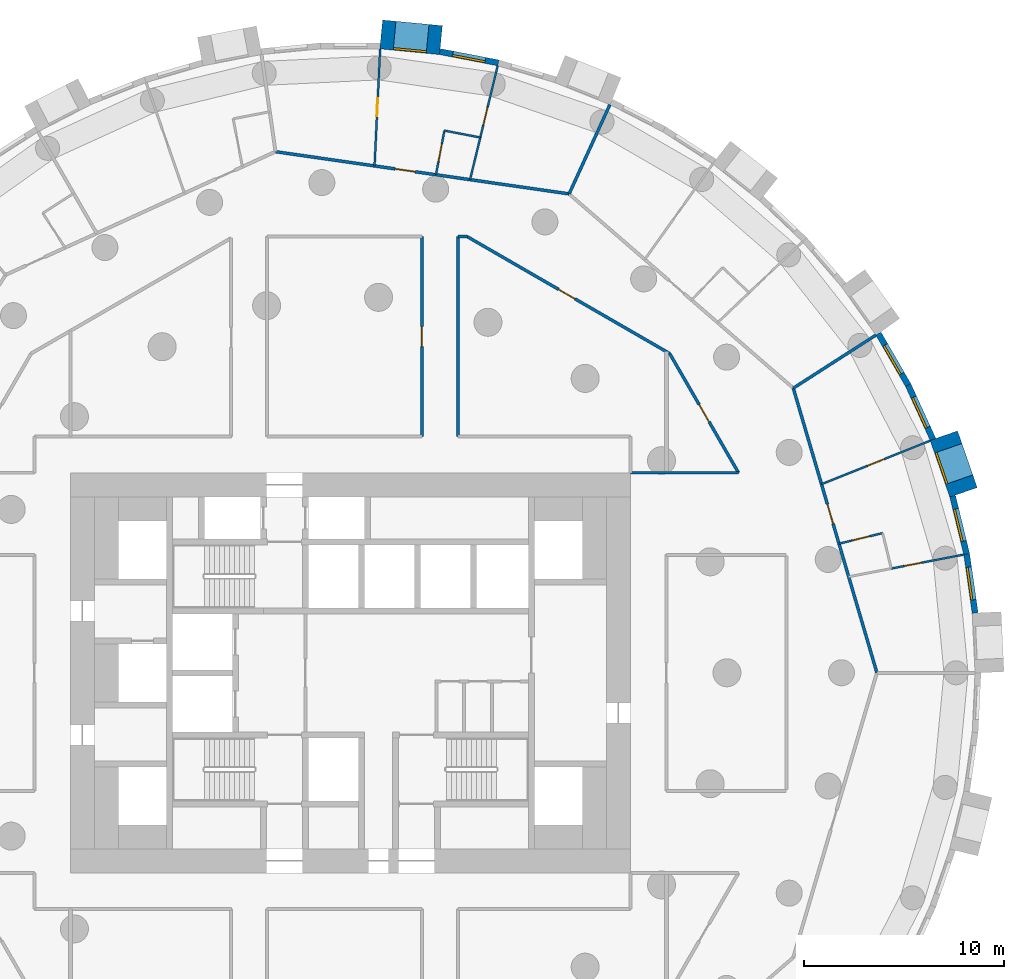
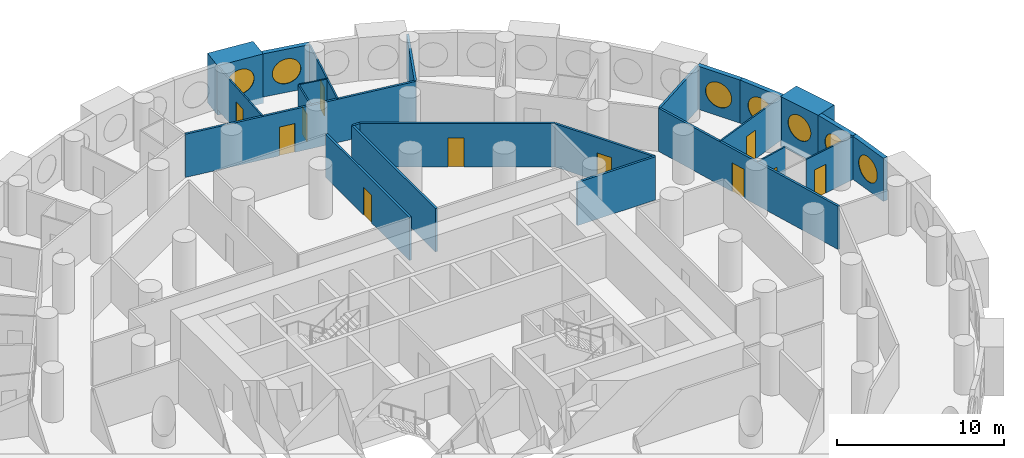
# One storey, part 9 of 12: 25 walls, 11 doors, 7 windows, 18 openings.
"""IFC4 building model written with IfcOpenShell, lengths in metres."""

from ifc_helpers import new_model, si_unit, direction, frame, frame_2d, origin, origin_2d, place, context, subcontext, project, spatial, rectangle, circle, extrude, material, layer, layer_set, type_object, element, fill, save


model = new_model("IFC4")

# Units and contexts
model_context = context("Model", 3, precision=1e-05, world=origin(), true_north=direction((0.0, 1.0)))
body_context = subcontext(model_context, "Body", "Model", "MODEL_VIEW")
ifc_project = project(units=[si_unit("LENGTHUNIT", "METRE"), si_unit("AREAUNIT", "SQUARE_METRE"), si_unit("VOLUMEUNIT", "CUBIC_METRE"), si_unit("PLANEANGLEUNIT", "RADIAN"), si_unit("MASSUNIT", "GRAM", prefix="KILO")], contexts=[model_context])

# Site, building, storey
site_placement = place(None, origin())
site = spatial("IfcSite", under=ifc_project, at=site_placement, CompositionType="ELEMENT")
building_placement = place(site_placement, origin())
building = spatial("IfcBuilding", under=site, at=building_placement, Name="Tracery Tower", CompositionType="ELEMENT")
storey_placement = place(building_placement, frame((0.0, 0.0, 89.39990234375)))
storey = spatial("IfcBuildingStorey", under=building, at=storey_placement, Name="L22", CompositionType="ELEMENT", Elevation=89.39990234375)

# Wall, opening, window
ifc_material_1 = material(Name="Precast concrete C50/60", Category="concrete")
ifc_layer_1 = layer(ifc_material_1, 1.449951171875)
ifc_layer_set_1 = layer_set([ifc_layer_1], Name="Deep-set bay unit 3000 x 3600, slab edge 450")
wall_type_1 = type_object("IfcWallType", Name="Deep-set bay unit 3000 x 3600, slab edge 450", PredefinedType="ELEMENTEDWALL", material=ifc_layer_set_1)
wall_1_placement = place(storey_placement, frame((30.649169921875, 9.0205078125, -0.449951171875), z_axis=(0.0, 0.0, 1.0), x_axis=(-0.327071431777, 0.944999618262, 0.0)))
wall_1 = element("IfcWall", 1, at=wall_1_placement, inside=storey, type_object=wall_type_1, Name="Deep-set bay unit 4 at L22", PredefinedType="ELEMENTEDWALL", context=body_context, shape_type="SweptSolid", body=[
    extrude(rectangle(XDim=3.0, YDim=1.449951171875, at=frame_2d((1.5, 0.0))), origin(), (0.0, 0.0, 1.0), 3.60009765625),
])
opening_1_placement = place(wall_1_placement, frame((1.5, 0.0, 2.0)))
opening_1 = element("IfcOpeningElement", 2, at=opening_1_placement, cuts=wall_1, Name="Opening WN1", PredefinedType="OPENING", context=body_context, shape_type="SweptSolid", body=[
    extrude(circle(Radius=0.9000244140625, at=origin_2d()), frame((0.0, 0.73486328125, 0.0), z_axis=(0.0, -1.0, 0.0), x_axis=(1.0, 0.0, 0.0)), (0.0, 0.0, 1.0), 1.469970703125),
])
ifc_material_2 = material(Name="Aluminium frame with tinted double glazing", Category="aluminium")
window_type = type_object("IfcWindowType", Name="Round window 1800", PartitioningType="SINGLE_PANEL", PredefinedType="WINDOW", material=ifc_material_2)
window_1_placement = place(opening_1_placement, origin())
window_1 = element("IfcWindow", 3, at=window_1_placement, inside=storey, type_object=window_type, Name="Round window 4 at L22", OverallHeight=1.800048828125, OverallWidth=1.800048828125, PartitioningType="SINGLE_PANEL", PredefinedType="WINDOW", context=body_context, shape_type="SweptSolid", body=[
    extrude(circle(Radius=0.9000244140625, at=origin_2d()), frame((0.0, 0.69482421875, 0.0), z_axis=(0.0, -1.0, 0.0), x_axis=(1.0, 0.0, 0.0)), (0.0, 0.0, 1.0), 0.10009765625),
])
fill(opening_1, window_1)

wall_2_placement = place(storey_placement, frame((4.52685546875, 31.626708984375, -0.449951171875), z_axis=(0.0, 0.0, 1.0), x_axis=(-0.995472768558, 0.09504718333, 0.0)))
wall_2 = element("IfcWall", 4, at=wall_2_placement, inside=storey, type_object=wall_type_1, Name="Deep-set bay unit 16 at L22", PredefinedType="ELEMENTEDWALL", context=body_context, shape_type="SweptSolid", body=[
    extrude(rectangle(XDim=3.000244140625, YDim=1.449951171875, at=frame_2d((1.5, 0.0))), origin(), (0.0, 0.0, 1.0), 3.60009765625),
])
opening_2_placement = place(wall_2_placement, frame((1.5, 0.0, 2.0)))
opening_2 = element("IfcOpeningElement", 5, at=opening_2_placement, cuts=wall_2, Name="Opening WN1", PredefinedType="OPENING", context=body_context, shape_type="SweptSolid", body=[
    extrude(circle(Radius=0.9000244140625, at=origin_2d()), frame((0.0, 0.73486328125, 0.0), z_axis=(0.0, -1.0, 0.0), x_axis=(1.0, 0.0, 0.0)), (0.0, 0.0, 1.0), 1.469970703125),
])
window_2_placement = place(opening_2_placement, origin())
window_2 = element("IfcWindow", 6, at=window_2_placement, inside=storey, type_object=window_type, Name="Round window 16 at L22", OverallHeight=1.800048828125, OverallWidth=1.800048828125, PartitioningType="SINGLE_PANEL", PredefinedType="WINDOW", context=body_context, shape_type="SweptSolid", body=[
    extrude(circle(Radius=0.9000244140625, at=origin_2d()), frame((0.0, 0.69482421875, 0.0), z_axis=(0.0, -1.0, 0.0), x_axis=(1.0, 0.0, 0.0)), (0.0, 0.0, 1.0), 0.10009765625),
])
fill(opening_2, window_2)

ifc_material_3 = material(Name="Precast concrete C50/60", Category="concrete")
ifc_layer_2 = layer(ifc_material_3, 0.300048828125)
ifc_layer_set_2 = layer_set([ifc_layer_2], Name="Facade panel 3000 x 3150")
wall_type_2 = type_object("IfcWallType", Name="Facade panel 3000 x 3150", PredefinedType="SOLIDWALL", material=ifc_layer_set_2)
wall_3_placement = place(storey_placement, frame((31.2314453125, 2.98828125, 0.0), z_axis=(0.0, 0.0, 1.0), x_axis=(-0.142315996627, 0.989821275334, 0.0)))
wall_3 = element("IfcWall", 7, at=wall_3_placement, inside=storey, type_object=wall_type_2, Name="Facade panel 2 at L22", PredefinedType="SOLIDWALL", context=body_context, shape_type="SweptSolid", body=[
    extrude(rectangle(XDim=2.979736328125, YDim=0.300048828125, at=frame_2d((1.48974609375, 0.0))), origin(), (0.0, 0.0, 1.0), 3.150146484375),
])
opening_3_placement = place(wall_3_placement, frame((1.48974609375, 0.0, 1.5498046875)))
opening_3 = element("IfcOpeningElement", 8, at=opening_3_placement, cuts=wall_3, Name="Opening WN1", PredefinedType="OPENING", context=body_context, shape_type="SweptSolid", body=[
    extrude(circle(Radius=0.9000244140625, at=origin_2d()), frame((0.0, 0.159912109375, 0.0), z_axis=(0.0, -1.0, 0.0), x_axis=(1.0, 0.0, 0.0)), (0.0, 0.0, 1.0), 0.320068359375),
])
window_3_placement = place(opening_3_placement, origin())
window_3 = element("IfcWindow", 9, at=window_3_placement, inside=storey, type_object=window_type, Name="Round window 2 at L22", OverallHeight=1.800048828125, OverallWidth=1.800048828125, PartitioningType="SINGLE_PANEL", PredefinedType="WINDOW", context=body_context, shape_type="SweptSolid", body=[
    extrude(circle(Radius=0.9000244140625, at=origin_2d()), frame((0.0, 0.1201171875, 0.0), z_axis=(0.0, -1.0, 0.0), x_axis=(1.0, 0.0, 0.0)), (0.0, 0.0, 1.0), 0.10009765625),
])
fill(opening_3, window_3)

wall_4_placement = place(storey_placement, frame((30.807373046875, 5.937744140625, 0.0), z_axis=(0.0, 0.0, 1.0), x_axis=(-0.235743081534, 0.971815414319, 0.0)))
wall_4 = element("IfcWall", 10, at=wall_4_placement, inside=storey, type_object=wall_type_2, Name="Facade panel 3 at L22", PredefinedType="SOLIDWALL", context=body_context, shape_type="SweptSolid", body=[
    extrude(rectangle(XDim=2.9794921875, YDim=0.300048828125, at=frame_2d((1.48974609375, 0.0))), origin(), (0.0, 0.0, 1.0), 3.150146484375),
])
opening_4_placement = place(wall_4_placement, frame((1.48974609375, 0.0, 1.5498046875)))
opening_4 = element("IfcOpeningElement", 11, at=opening_4_placement, cuts=wall_4, Name="Opening WN1", PredefinedType="OPENING", context=body_context, shape_type="SweptSolid", body=[
    extrude(circle(Radius=0.9000244140625, at=origin_2d()), frame((0.0, 0.159912109375, 0.0), z_axis=(0.0, -1.0, 0.0), x_axis=(1.0, 0.0, 0.0)), (0.0, 0.0, 1.0), 0.320068359375),
])
window_4_placement = place(opening_4_placement, origin())
window_4 = element("IfcWindow", 12, at=window_4_placement, inside=storey, type_object=window_type, Name="Round window 3 at L22", OverallHeight=1.800048828125, OverallWidth=1.800048828125, PartitioningType="SINGLE_PANEL", PredefinedType="WINDOW", context=body_context, shape_type="SweptSolid", body=[
    extrude(circle(Radius=0.9000244140625, at=origin_2d()), frame((0.0, 0.1201171875, 0.0), z_axis=(0.0, -1.0, 0.0), x_axis=(1.0, 0.0, 0.0)), (0.0, 0.0, 1.0), 0.10009765625),
])
fill(opening_4, window_4)

wall_5_placement = place(storey_placement, frame((29.12451171875, 11.666259765625, 0.0), z_axis=(0.0, 0.0, 1.0), x_axis=(-0.415407317162, 0.909635509888, 0.0)))
wall_5 = element("IfcWall", 13, at=wall_5_placement, inside=storey, type_object=wall_type_2, Name="Facade panel 5 at L22", PredefinedType="SOLIDWALL", context=body_context, shape_type="SweptSolid", body=[
    extrude(rectangle(XDim=2.979736328125, YDim=0.300048828125, at=frame_2d((1.48974609375, 0.0))), origin(), (0.0, 0.0, 1.0), 3.150146484375),
])
opening_5_placement = place(wall_5_placement, frame((1.48974609375, 0.0, 1.5498046875)))
opening_5 = element("IfcOpeningElement", 14, at=opening_5_placement, cuts=wall_5, Name="Opening WN1", PredefinedType="OPENING", context=body_context, shape_type="SweptSolid", body=[
    extrude(circle(Radius=0.9000244140625, at=origin_2d()), frame((0.0, 0.159912109375, 0.0), z_axis=(0.0, -1.0, 0.0), x_axis=(1.0, 0.0, 0.0)), (0.0, 0.0, 1.0), 0.320068359375),
])
window_5_placement = place(opening_5_placement, origin())
window_5 = element("IfcWindow", 15, at=window_5_placement, inside=storey, type_object=window_type, Name="Round window 5 at L22", OverallHeight=1.800048828125, OverallWidth=1.800048828125, PartitioningType="SINGLE_PANEL", PredefinedType="WINDOW", context=body_context, shape_type="SweptSolid", body=[
    extrude(circle(Radius=0.9000244140625, at=origin_2d()), frame((0.0, 0.1201171875, 0.0), z_axis=(0.0, -1.0, 0.0), x_axis=(1.0, 0.0, 0.0)), (0.0, 0.0, 1.0), 0.10009765625),
])
fill(opening_5, window_5)

wall_6_placement = place(storey_placement, frame((27.88671875, 14.376708984375, 0.0), z_axis=(0.0, 0.0, 1.0), x_axis=(-0.499999078476, 0.866025935826, 0.0)))
wall_6 = element("IfcWall", 16, at=wall_6_placement, inside=storey, type_object=wall_type_2, Name="Facade panel 6 at L22", PredefinedType="SOLIDWALL", context=body_context, shape_type="SweptSolid", body=[
    extrude(rectangle(XDim=2.9794921875, YDim=0.300048828125, at=frame_2d((1.48974609375, 0.0))), origin(), (0.0, 0.0, 1.0), 3.150146484375),
])
opening_6_placement = place(wall_6_placement, frame((1.48974609375, 0.0, 1.5498046875)))
opening_6 = element("IfcOpeningElement", 17, at=opening_6_placement, cuts=wall_6, Name="Opening WN1", PredefinedType="OPENING", context=body_context, shape_type="SweptSolid", body=[
    extrude(circle(Radius=0.9000244140625, at=origin_2d()), frame((0.0, 0.159912109375, 0.0), z_axis=(0.0, -1.0, 0.0), x_axis=(1.0, 0.0, 0.0)), (0.0, 0.0, 1.0), 0.320068359375),
])
window_6_placement = place(opening_6_placement, origin())
window_6 = element("IfcWindow", 18, at=window_6_placement, inside=storey, type_object=window_type, Name="Round window 6 at L22", OverallHeight=1.800048828125, OverallWidth=1.800048828125, PartitioningType="SINGLE_PANEL", PredefinedType="WINDOW", context=body_context, shape_type="SweptSolid", body=[
    extrude(circle(Radius=0.9000244140625, at=origin_2d()), frame((0.0, 0.1201171875, 0.0), z_axis=(0.0, -1.0, 0.0), x_axis=(1.0, 0.0, 0.0)), (0.0, 0.0, 1.0), 0.10009765625),
])
fill(opening_6, window_6)

wall_7_placement = place(storey_placement, frame((7.396728515625, 30.489990234375, 0.0), z_axis=(0.0, 0.0, 1.0), x_axis=(-0.981924535406, 0.189272836848, 0.0)))
wall_7 = element("IfcWall", 19, at=wall_7_placement, inside=storey, type_object=wall_type_2, Name="Facade panel 15 at L22", PredefinedType="SOLIDWALL", context=body_context, shape_type="SweptSolid", body=[
    extrude(rectangle(XDim=2.979736328125, YDim=0.300048828125, at=frame_2d((1.48974609375, 0.0))), origin(), (0.0, 0.0, 1.0), 3.150146484375),
])
opening_7_placement = place(wall_7_placement, frame((1.48974609375, 0.0, 1.5498046875)))
opening_7 = element("IfcOpeningElement", 20, at=opening_7_placement, cuts=wall_7, Name="Opening WN1", PredefinedType="OPENING", context=body_context, shape_type="SweptSolid", body=[
    extrude(circle(Radius=0.9000244140625, at=origin_2d()), frame((0.0, 0.159912109375, 0.0), z_axis=(0.0, -1.0, 0.0), x_axis=(1.0, 0.0, 0.0)), (0.0, 0.0, 1.0), 0.320068359375),
])
window_7_placement = place(opening_7_placement, origin())
window_7 = element("IfcWindow", 21, at=window_7_placement, inside=storey, type_object=window_type, Name="Round window 15 at L22", OverallHeight=1.800048828125, OverallWidth=1.800048828125, PartitioningType="SINGLE_PANEL", PredefinedType="WINDOW", context=body_context, shape_type="SweptSolid", body=[
    extrude(circle(Radius=0.9000244140625, at=origin_2d()), frame((0.0, 0.1201171875, 0.0), z_axis=(0.0, -1.0, 0.0), x_axis=(1.0, 0.0, 0.0)), (0.0, 0.0, 1.0), 0.10009765625),
])
fill(opening_7, window_7)

# Wall, opening, door
ifc_material_4 = material(Name="Plasterboard on steel studs", Category="steel")
ifc_layer_3 = layer(ifc_material_4, 0.10009765625)
ifc_layer_set_3 = layer_set([ifc_layer_3], Name="Partition 100 stud")
wall_type_3 = type_object("IfcWallType", Name="Partition 100 stud", PredefinedType="PARTITIONING", material=ifc_layer_set_3)
wall_8_placement = place(storey_placement, frame((27.0380859375, 5.2109375, 0.0), z_axis=(0.0, 0.0, 1.0), x_axis=(0.981931303506, 0.189237721384, 0.0)))
wall_8 = element("IfcWall", 22, at=wall_8_placement, inside=storey, type_object=wall_type_3, Name="Stud partition RA6-058", PredefinedType="PARTITIONING", context=body_context, shape_type="SweptSolid", body=[
    extrude(rectangle(XDim=3.6884765625, YDim=0.10009765625, at=frame_2d((1.84423828125, 0.0))), origin(), (0.0, 0.0, 1.0), 3.150146484375),
])
opening_8_placement = place(wall_8_placement, frame((0.64453125, 0.0, 0.0)))
opening_8 = element("IfcOpeningElement", 23, at=opening_8_placement, cuts=wall_8, Name="Opening RA6-13", PredefinedType="OPENING", context=body_context, shape_type="SweptSolid", body=[
    extrude(rectangle(XDim=0.89990234375, YDim=2.10009765625, at=frame_2d((0.449951171875, 1.050048828125))), frame((0.0, 0.050048828125, 0.0), z_axis=(0.0, -1.0, 0.0), x_axis=(1.0, 0.0, 0.0)), (0.0, 0.0, 1.0), 0.10009765625),
])
ifc_material_5 = material(Name="Timber door leaf", Category="wood")
door_type_1 = type_object("IfcDoorType", Name="Door bedroom 900", OperationType="NOTDEFINED", PredefinedType="DOOR", material=ifc_material_5)
door_1_placement = place(opening_8_placement, origin())
door_1 = element("IfcDoor", 24, at=door_1_placement, inside=storey, type_object=door_type_1, Name="Bedroom door RA6-13", OperationType="SINGLE_SWING_RIGHT", OverallHeight=2.10009765625, OverallWidth=0.89990234375, PredefinedType="DOOR", context=body_context, shape_type="SweptSolid", body=[
    extrude(rectangle(XDim=0.89990234375, YDim=2.10009765625, at=frame_2d((0.449951171875, 1.050048828125))), frame((0.0, 0.02490234375, 0.0), z_axis=(0.0, -1.0, 0.0), x_axis=(1.0, 0.0, 0.0)), (0.0, 0.0, 1.0), 0.050048828125),
])
fill(opening_8, door_1)

wall_9_placement = place(storey_placement, frame((23.550048828125, 9.427978515625, 0.0), z_axis=(0.0, 0.0, 1.0), x_axis=(0.9283702981, 0.371656547911, 0.0)))
wall_9 = element("IfcWall", 25, at=wall_9_placement, inside=storey, type_object=wall_type_3, Name="Stud partition RA6-059", PredefinedType="PARTITIONING", context=body_context, shape_type="SweptSolid", body=[
    extrude(rectangle(XDim=5.857666015625, YDim=0.10009765625, at=frame_2d((2.9287109375, 0.0))), origin(), (0.0, 0.0, 1.0), 3.150146484375),
])
opening_9_placement = place(wall_9_placement, frame((2.47900390625, 0.0, 0.0)))
opening_9 = element("IfcOpeningElement", 26, at=opening_9_placement, cuts=wall_9, Name="Opening RA6-14", PredefinedType="OPENING", context=body_context, shape_type="SweptSolid", body=[
    extrude(rectangle(XDim=0.89990234375, YDim=2.10009765625, at=frame_2d((0.449951171875, 1.050048828125))), frame((0.0, 0.050048828125, 0.0), z_axis=(0.0, -1.0, 0.0), x_axis=(1.0, 0.0, 0.0)), (0.0, 0.0, 1.0), 0.10009765625),
])
door_2_placement = place(opening_9_placement, origin())
door_2 = element("IfcDoor", 27, at=door_2_placement, inside=storey, type_object=door_type_1, Name="Bedroom door RA6-14", OperationType="SINGLE_SWING_RIGHT", OverallHeight=2.10009765625, OverallWidth=0.89990234375, PredefinedType="DOOR", context=body_context, shape_type="SweptSolid", body=[
    extrude(rectangle(XDim=0.89990234375, YDim=2.10009765625, at=frame_2d((0.449951171875, 1.050048828125))), frame((0.0, 0.02490234375, 0.0), z_axis=(0.0, -1.0, 0.0), x_axis=(1.0, 0.0, 0.0)), (0.0, 0.0, 1.0), 0.050048828125),
])
fill(opening_9, door_2)

wall_10_placement = place(storey_placement, frame((6.491943359375, 26.759033203125, 0.0), z_axis=(0.0, 0.0, 1.0), x_axis=(0.235615179614, 0.971846431868, 0.0)))
wall_10 = element("IfcWall", 28, at=wall_10_placement, inside=storey, type_object=wall_type_3, Name="Stud partition RA6-071", PredefinedType="PARTITIONING", context=body_context, shape_type="SweptSolid", body=[
    extrude(rectangle(XDim=3.688720703125, YDim=0.10009765625, at=frame_2d((1.84423828125, 0.0))), origin(), (0.0, 0.0, 1.0), 3.150146484375),
])
opening_10_placement = place(wall_10_placement, frame((0.644775390625, 0.0, 0.0)))
opening_10 = element("IfcOpeningElement", 29, at=opening_10_placement, cuts=wall_10, Name="Opening RA6-21", PredefinedType="OPENING", context=body_context, shape_type="SweptSolid", body=[
    extrude(rectangle(XDim=0.89990234375, YDim=2.10009765625, at=frame_2d((0.449951171875, 1.050048828125))), frame((0.0, 0.050048828125, 0.0), z_axis=(0.0, -1.0, 0.0), x_axis=(1.0, 0.0, 0.0)), (0.0, 0.0, 1.0), 0.10009765625),
])
door_3_placement = place(opening_10_placement, origin())
door_3 = element("IfcDoor", 30, at=door_3_placement, inside=storey, type_object=door_type_1, Name="Bedroom door RA6-21", OperationType="SINGLE_SWING_RIGHT", OverallHeight=2.10009765625, OverallWidth=0.89990234375, PredefinedType="DOOR", context=body_context, shape_type="SweptSolid", body=[
    extrude(rectangle(XDim=0.89990234375, YDim=2.10009765625, at=frame_2d((0.449951171875, 1.050048828125))), frame((0.0, 0.02490234375, 0.0), z_axis=(0.0, -1.0, 0.0), x_axis=(1.0, 0.0, 0.0)), (0.0, 0.0, 1.0), 0.050048828125),
])
fill(opening_10, door_3)

wall_11_placement = place(storey_placement, frame((1.20703125, 25.339111328125, 0.0), z_axis=(0.0, 0.0, 1.0), x_axis=(0.047648334785, 0.998864173045, 0.0)))
wall_11 = element("IfcWall", 31, at=wall_11_placement, inside=storey, type_object=wall_type_3, Name="Stud partition RA6-072", PredefinedType="PARTITIONING", context=body_context, shape_type="SweptSolid", body=[
    extrude(rectangle(XDim=5.8564453125, YDim=0.10009765625, at=frame_2d((2.92822265625, 0.0))), origin(), (0.0, 0.0, 1.0), 3.150146484375),
])
opening_11_placement = place(wall_11_placement, frame((2.47802734375, 0.0, 0.0)))
opening_11 = element("IfcOpeningElement", 32, at=opening_11_placement, cuts=wall_11, Name="Opening RA6-22", PredefinedType="OPENING", context=body_context, shape_type="SweptSolid", body=[
    extrude(rectangle(XDim=0.89990234375, YDim=2.10009765625, at=frame_2d((0.449951171875, 1.050048828125))), frame((0.0, 0.050048828125, 0.0), z_axis=(0.0, -1.0, 0.0), x_axis=(1.0, 0.0, 0.0)), (0.0, 0.0, 1.0), 0.10009765625),
])
door_4_placement = place(opening_11_placement, origin())
door_4 = element("IfcDoor", 33, at=door_4_placement, inside=storey, type_object=door_type_1, Name="Bedroom door RA6-22", OperationType="SINGLE_SWING_LEFT", OverallHeight=2.10009765625, OverallWidth=0.89990234375, PredefinedType="DOOR", context=body_context, shape_type="SweptSolid", body=[
    extrude(rectangle(XDim=0.89990234375, YDim=2.10009765625, at=frame_2d((0.449951171875, 1.050048828125))), frame((0.0, 0.02490234375, 0.0), z_axis=(0.0, -1.0, 0.0), x_axis=(1.0, 0.0, 0.0)), (0.0, 0.0, 1.0), 0.050048828125),
])
fill(opening_11, door_4)

ifc_material_6 = material(Name="Plasterboard on steel studs", Category="steel")
ifc_layer_4 = layer(ifc_material_6, 0.10009765625)
ifc_layer_set_4 = layer_set([ifc_layer_4], Name="Partition 100 wet wall")
wall_type_4 = type_object("IfcWallType", Name="Partition 100 wet wall", PredefinedType="PARTITIONING", material=ifc_layer_set_4)
wall_12_placement = place(storey_placement, frame((24.424072265625, 6.4541015625, 0.0), z_axis=(0.0, 0.0, 1.0), x_axis=(0.971812402676, 0.235755496233, 0.0)))
wall_12 = element("IfcWall", 34, at=wall_12_placement, inside=storey, type_object=wall_type_4, Name="Wet wall RA6-061", PredefinedType="PARTITIONING", context=body_context, shape_type="SweptSolid", body=[
    extrude(rectangle(XDim=2.2470703125, YDim=0.10009765625, at=frame_2d((1.12353515625, 0.0))), origin(), (0.0, 0.0, 1.0), 3.150146484375),
])
opening_12_placement = place(wall_12_placement, frame((0.67333984375, 0.0, 0.0)))
opening_12 = element("IfcOpeningElement", 35, at=opening_12_placement, cuts=wall_12, Name="Opening RA6-15", PredefinedType="OPENING", context=body_context, shape_type="SweptSolid", body=[
    extrude(rectangle(XDim=0.89990234375, YDim=2.0, at=frame_2d((0.449951171875, 1.0))), frame((0.0, 0.050048828125, 0.0), z_axis=(0.0, -1.0, 0.0), x_axis=(1.0, 0.0, 0.0)), (0.0, 0.0, 1.0), 0.10009765625),
])
ifc_material_7 = material(Name="Timber door leaf", Category="wood")
door_type_2 = type_object("IfcDoorType", Name="Door shower room 900", OperationType="NOTDEFINED", PredefinedType="DOOR", material=ifc_material_7)
door_5_placement = place(opening_12_placement, origin())
door_5 = element("IfcDoor", 36, at=door_5_placement, inside=storey, type_object=door_type_2, Name="Shower room door RA6-15", OperationType="SINGLE_SWING_RIGHT", OverallHeight=2.0, OverallWidth=0.89990234375, PredefinedType="DOOR", context=body_context, shape_type="SweptSolid", body=[
    extrude(rectangle(XDim=0.89990234375, YDim=2.0, at=frame_2d((0.449951171875, 1.0))), frame((0.0, 0.02490234375, 0.0), z_axis=(0.0, -1.0, 0.0), x_axis=(1.0, 0.0, 0.0)), (0.0, 0.0, 1.0), 0.050048828125),
])
fill(opening_12, door_5)

# Wall
wall_13_placement = place(storey_placement, frame((4.699951171875, 27.10498046875, 0.0), z_axis=(0.0, 0.0, 1.0), x_axis=(0.981870706953, -0.189551878985, 0.0)))
element("IfcWall", 37, at=wall_13_placement, inside=storey, type_object=wall_type_4, Name="Wet wall RA6-073", PredefinedType="PARTITIONING", context=body_context, shape_type="SweptSolid", body=[
    extrude(rectangle(XDim=1.8251953125, YDim=0.10009765625, at=frame_2d((0.91259765625, 0.0))), origin(), (0.0, 0.0, 1.0), 3.150146484375),
])

# Wall, opening, door
wall_14_placement = place(storey_placement, frame((4.27490234375, 24.89794921875, 0.0), z_axis=(0.0, 0.0, 1.0), x_axis=(0.189113289302, 0.98195527587, 0.0)))
wall_14 = element("IfcWall", 38, at=wall_14_placement, inside=storey, type_object=wall_type_4, Name="Wet wall RA6-074", PredefinedType="PARTITIONING", context=body_context, shape_type="SweptSolid", body=[
    extrude(rectangle(XDim=2.24755859375, YDim=0.10009765625, at=frame_2d((1.123779296875, 0.0))), origin(), (0.0, 0.0, 1.0), 3.150146484375),
])
opening_13_placement = place(wall_14_placement, frame((0.673583984375, 0.0, 0.0)))
opening_13 = element("IfcOpeningElement", 39, at=opening_13_placement, cuts=wall_14, Name="Opening RA6-23", PredefinedType="OPENING", context=body_context, shape_type="SweptSolid", body=[
    extrude(rectangle(XDim=0.89990234375, YDim=2.0, at=frame_2d((0.449951171875, 1.0))), frame((0.0, 0.050048828125, 0.0), z_axis=(0.0, -1.0, 0.0), x_axis=(1.0, 0.0, 0.0)), (0.0, 0.0, 1.0), 0.10009765625),
])
door_6_placement = place(opening_13_placement, origin())
door_6 = element("IfcDoor", 40, at=door_6_placement, inside=storey, type_object=door_type_2, Name="Shower room door RA6-23", OperationType="SINGLE_SWING_RIGHT", OverallHeight=2.0, OverallWidth=0.89990234375, PredefinedType="DOOR", context=body_context, shape_type="SweptSolid", body=[
    extrude(rectangle(XDim=0.89990234375, YDim=2.0, at=frame_2d((0.449951171875, 1.0))), frame((0.0, 0.02490234375, 0.0), z_axis=(0.0, -1.0, 0.0), x_axis=(1.0, 0.0, 0.0)), (0.0, 0.0, 1.0), 0.050048828125),
])
fill(opening_13, door_6)

# Walls
wall_15_placement = place(storey_placement, frame((5.98095703125, 24.652099609375, 0.0), z_axis=(0.0, 0.0, 1.0), x_axis=(0.235706186713, 0.971824363527, 0.0)))
element("IfcWall", 41, at=wall_15_placement, inside=storey, type_object=wall_type_4, Name="Wet wall RA6-075", PredefinedType="PARTITIONING", context=body_context, shape_type="SweptSolid", body=[
    extrude(rectangle(XDim=2.172119140625, YDim=0.10009765625, at=frame_2d((1.0859375, 0.0))), origin(), (0.0, 0.0, 1.0), 3.150146484375),
])
ifc_material_8 = material(Name="Plasterboard on steel studs", Category="steel")
ifc_layer_5 = layer(ifc_material_8, 0.14990234375)
ifc_layer_set_5 = layer_set([ifc_layer_5], Name="Partition 150 acoustic unit wall")
wall_type_5 = type_object("IfcWallType", Name="Partition 150 acoustic unit wall", PredefinedType="PARTITIONING", material=ifc_layer_set_5)
wall_16_placement = place(storey_placement, frame((22.14111328125, 14.22900390625, 0.0), z_axis=(0.0, 0.0, 1.0), x_axis=(0.841265781699, 0.540621757371, 0.0)))
element("IfcWall", 42, at=wall_16_placement, inside=storey, type_object=wall_type_5, Name="Unit wall RA6-064", PredefinedType="PARTITIONING", context=body_context, shape_type="SweptSolid", body=[
    extrude(rectangle(XDim=4.90576171875, YDim=0.14990234375, at=frame_2d((2.452880859375, 0.0))), origin(), (0.0, 0.0, 1.0), 3.150146484375),
])
wall_17_placement = place(storey_placement, frame((10.93310546875, 23.93994140625, 0.0), z_axis=(0.0, 0.0, 1.0), x_axis=(0.415346954488, 0.909663073559, 0.0)))
element("IfcWall", 43, at=wall_17_placement, inside=storey, type_object=wall_type_5, Name="Unit wall RA6-070", PredefinedType="PARTITIONING", context=body_context, shape_type="SweptSolid", body=[
    extrude(rectangle(XDim=4.90625, YDim=0.14990234375, at=frame_2d((2.453125, 0.0))), origin(), (0.0, 0.0, 1.0), 3.150146484375),
])
ifc_material_9 = material(Name="Plasterboard on steel studs", Category="steel")
ifc_layer_6 = layer(ifc_material_9, 0.14990234375)
ifc_layer_set_6 = layer_set([ifc_layer_6], Name="Partition 150 corridor wall")
wall_type_6 = type_object("IfcWallType", Name="Partition 150 corridor wall", PredefinedType="PARTITIONING", material=ifc_layer_set_6)
wall_18_placement = place(storey_placement, frame((14.0, 10.0, 0.0), z_axis=(0.0, 0.0, 1.0), x_axis=(1.0, 0.0, 0.0)))
element("IfcWall", 44, at=wall_18_placement, inside=storey, type_object=wall_type_6, Name="Corridor wall RA6-011", PredefinedType="PARTITIONING", context=body_context, shape_type="SweptSolid", body=[
    extrude(rectangle(XDim=5.40087890625, YDim=0.14990234375, at=frame_2d((2.700439453125, 0.0))), origin(), (0.0, 0.0, 1.0), 3.150146484375),
])

# Wall, opening, door
wall_19_placement = place(storey_placement, frame((15.9599609375, 15.9599609375, 0.0), z_axis=(0.0, 0.0, 1.0), x_axis=(0.499992689227, -0.86602962462, 0.0)))
wall_19 = element("IfcWall", 45, at=wall_19_placement, inside=storey, type_object=wall_type_6, Name="Corridor wall RA6-018", PredefinedType="PARTITIONING", context=body_context, shape_type="SweptSolid", body=[
    extrude(rectangle(XDim=6.8818359375, YDim=0.14990234375, at=frame_2d((3.44091796875, 0.0))), origin(), (0.0, 0.0, 1.0), 3.150146484375),
])
opening_14_placement = place(wall_19_placement, frame((2.94091796875, 0.0, 0.0)))
opening_14 = element("IfcOpeningElement", 46, at=opening_14_placement, cuts=wall_19, Name="Opening RA6-09", PredefinedType="OPENING", context=body_context, shape_type="SweptSolid", body=[
    extrude(rectangle(XDim=1.0, YDim=2.0400390625, at=frame_2d((0.5, 1.02001953125))), frame((0.0, 0.074951171875, 0.0), z_axis=(0.0, -1.0, 0.0), x_axis=(1.0, 0.0, 0.0)), (0.0, 0.0, 1.0), 0.14990234375),
])
ifc_material_10 = material(Name="Timber door leaf", Category="wood")
door_type_3 = type_object("IfcDoorType", Name="Door communal room 1000", OperationType="NOTDEFINED", PredefinedType="DOOR", material=ifc_material_10)
door_7_placement = place(opening_14_placement, origin())
door_7 = element("IfcDoor", 47, at=door_7_placement, inside=storey, type_object=door_type_3, Name="Communal room door RA6-09", OperationType="SINGLE_SWING_LEFT", OverallHeight=2.0400390625, OverallWidth=1.0, PredefinedType="DOOR", context=body_context, shape_type="SweptSolid", body=[
    extrude(rectangle(XDim=1.0, YDim=2.0400390625, at=frame_2d((0.5, 1.02001953125))), frame((0.0, 0.02490234375, 0.0), z_axis=(0.0, -1.0, 0.0), x_axis=(1.0, 0.0, 0.0)), (0.0, 0.0, 1.0), 0.050048828125),
])
fill(opening_14, door_7)

wall_20_placement = place(storey_placement, frame((22.139892578125, 14.228759765625, 0.0), z_axis=(0.0, 0.0, 1.0), x_axis=(0.281845438276, -0.959459821422, 0.0)))
wall_20 = element("IfcWall", 48, at=wall_20_placement, inside=storey, type_object=wall_type_6, Name="Corridor wall RA6-020", PredefinedType="PARTITIONING", context=body_context, shape_type="SweptSolid", body=[
    extrude(rectangle(XDim=14.829833984375, YDim=0.14990234375, at=frame_2d((7.4150390625, 0.0))), origin(), (0.0, 0.0, 1.0), 3.150146484375),
])
opening_15_placement = place(wall_20_placement, frame((6.053466796875, 0.0, 0.0)))
opening_15 = element("IfcOpeningElement", 49, at=opening_15_placement, cuts=wall_20, Name="Opening RA6-16", PredefinedType="OPENING", context=body_context, shape_type="SweptSolid", body=[
    extrude(rectangle(XDim=1.0, YDim=2.10009765625, at=frame_2d((0.5, 1.050048828125))), frame((0.0, 0.074951171875, 0.0), z_axis=(0.0, -1.0, 0.0), x_axis=(1.0, 0.0, 0.0)), (0.0, 0.0, 1.0), 0.14990234375),
])
ifc_material_11 = material(Name="Timber door leaf", Category="wood")
door_type_4 = type_object("IfcDoorType", Name="Door unit entrance 1000", OperationType="NOTDEFINED", PredefinedType="DOOR", material=ifc_material_11)
door_8_placement = place(opening_15_placement, origin())
door_8 = element("IfcDoor", 50, at=door_8_placement, inside=storey, type_object=door_type_4, Name="Unit entrance door RA6-16", OperationType="SINGLE_SWING_LEFT", OverallHeight=2.10009765625, OverallWidth=1.0, PredefinedType="DOOR", context=body_context, shape_type="SweptSolid", body=[
    extrude(rectangle(XDim=1.0, YDim=2.10009765625, at=frame_2d((0.5, 1.050048828125))), frame((0.0, 0.02490234375, 0.0), z_axis=(0.0, -1.0, 0.0), x_axis=(1.0, 0.0, 0.0)), (0.0, 0.0, 1.0), 0.050048828125),
])
fill(opening_15, door_8)

wall_21_placement = place(storey_placement, frame((3.575927734375, 11.800048828125, 0.0), z_axis=(0.0, 0.0, 1.0), x_axis=(0.0, 1.0, 0.0)))
wall_21 = element("IfcWall", 51, at=wall_21_placement, inside=storey, type_object=wall_type_6, Name="Corridor wall RA6-026", PredefinedType="PARTITIONING", context=body_context, shape_type="SweptSolid", body=[
    extrude(rectangle(XDim=10.001953125, YDim=0.14990234375, at=frame_2d((5.0009765625, 0.0))), origin(), (0.0, 0.0, 1.0), 3.150146484375),
])
opening_16_placement = place(wall_21_placement, frame((4.5009765625, 0.0, 0.0)))
opening_16 = element("IfcOpeningElement", 52, at=opening_16_placement, cuts=wall_21, Name="Opening RA6-02", PredefinedType="OPENING", context=body_context, shape_type="SweptSolid", body=[
    extrude(rectangle(XDim=1.0, YDim=2.0400390625, at=frame_2d((0.5, 1.02001953125))), frame((0.0, 0.074951171875, 0.0), z_axis=(0.0, -1.0, 0.0), x_axis=(1.0, 0.0, 0.0)), (0.0, 0.0, 1.0), 0.14990234375),
])
door_9_placement = place(opening_16_placement, origin())
door_9 = element("IfcDoor", 53, at=door_9_placement, inside=storey, type_object=door_type_3, Name="Communal room door RA6-02", OperationType="SINGLE_SWING_RIGHT", OverallHeight=2.0400390625, OverallWidth=1.0, PredefinedType="DOOR", context=body_context, shape_type="SweptSolid", body=[
    extrude(rectangle(XDim=1.0, YDim=2.0400390625, at=frame_2d((0.5, 1.02001953125))), frame((0.0, 0.02490234375, 0.0), z_axis=(0.0, -1.0, 0.0), x_axis=(1.0, 0.0, 0.0)), (0.0, 0.0, 1.0), 0.050048828125),
])
fill(opening_16, door_9)

wall_22_placement = place(storey_placement, frame((5.842041015625, 21.802001953125, 0.0), z_axis=(0.0, 0.0, 1.0), x_axis=(0.866031778836, -0.499988957924, 0.0)))
wall_22 = element("IfcWall", 54, at=wall_22_placement, inside=storey, type_object=wall_type_6, Name="Corridor wall RA6-029", PredefinedType="PARTITIONING", context=body_context, shape_type="SweptSolid", body=[
    extrude(rectangle(XDim=11.683349609375, YDim=0.14990234375, at=frame_2d((5.841796875, 0.0))), origin(), (0.0, 0.0, 1.0), 3.150146484375),
])
opening_17_placement = place(wall_22_placement, frame((5.2744140625, 0.0, 0.0)))
opening_17 = element("IfcOpeningElement", 55, at=opening_17_placement, cuts=wall_22, Name="Opening RA6-03", PredefinedType="OPENING", context=body_context, shape_type="SweptSolid", body=[
    extrude(rectangle(XDim=0.949951171875, YDim=2.10009765625, at=frame_2d((0.47509765625, 1.050048828125))), frame((0.0, 0.074951171875, 0.0), z_axis=(0.0, -1.0, 0.0), x_axis=(1.0, 0.0, 0.0)), (0.0, 0.0, 1.0), 0.14990234375),
])
ifc_material_12 = material(Name="Timber door leaf", Category="wood")
door_type_5 = type_object("IfcDoorType", Name="Door store 950", OperationType="NOTDEFINED", PredefinedType="DOOR", material=ifc_material_12)
door_10_placement = place(opening_17_placement, origin())
door_10 = element("IfcDoor", 56, at=door_10_placement, inside=storey, type_object=door_type_5, Name="Store door RA6-03", OperationType="SINGLE_SWING_LEFT", OverallHeight=2.10009765625, OverallWidth=0.949951171875, PredefinedType="DOOR", context=body_context, shape_type="SweptSolid", body=[
    extrude(rectangle(XDim=0.949951171875, YDim=2.10009765625, at=frame_2d((0.47509765625, 1.050048828125))), frame((0.0, 0.02490234375, 0.0), z_axis=(0.0, -1.0, 0.0), x_axis=(1.0, 0.0, 0.0)), (0.0, 0.0, 1.0), 0.050048828125),
])
fill(opening_17, door_10)

# Walls
wall_23_placement = place(storey_placement, frame((5.3759765625, 21.802001953125, 0.0), z_axis=(0.0, 0.0, 1.0), x_axis=(1.0, 0.0, 0.0)))
element("IfcWall", 57, at=wall_23_placement, inside=storey, type_object=wall_type_6, Name="Corridor wall RA6-030", PredefinedType="PARTITIONING", context=body_context, shape_type="SweptSolid", body=[
    extrude(rectangle(XDim=0.466064453125, YDim=0.14990234375, at=frame_2d((0.23291015625, 0.0))), origin(), (0.0, 0.0, 1.0), 3.150146484375),
])
wall_24_placement = place(storey_placement, frame((5.3759765625, 11.800048828125, 0.0), z_axis=(0.0, 0.0, 1.0), x_axis=(0.0, 1.0, 0.0)))
element("IfcWall", 58, at=wall_24_placement, inside=storey, type_object=wall_type_6, Name="Corridor wall RA6-031", PredefinedType="PARTITIONING", context=body_context, shape_type="SweptSolid", body=[
    extrude(rectangle(XDim=10.001953125, YDim=0.14990234375, at=frame_2d((5.0009765625, 0.0))), origin(), (0.0, 0.0, 1.0), 3.150146484375),
])

# Wall, opening, door
wall_25_placement = place(storey_placement, frame((-3.74609375, 26.05029296875, 0.0), z_axis=(0.0, 0.0, 1.0), x_axis=(0.989832601965, -0.14223719657, 0.0)))
wall_25 = element("IfcWall", 59, at=wall_25_placement, inside=storey, type_object=wall_type_6, Name="Corridor wall RA6-032", PredefinedType="PARTITIONING", context=body_context, shape_type="SweptSolid", body=[
    extrude(rectangle(XDim=14.830078125, YDim=0.14990234375, at=frame_2d((7.4150390625, 0.0))), origin(), (0.0, 0.0, 1.0), 3.150146484375),
])
opening_18_placement = place(wall_25_placement, frame((6.053955078125, 0.0, 0.0)))
opening_18 = element("IfcOpeningElement", 60, at=opening_18_placement, cuts=wall_25, Name="Opening RA6-24", PredefinedType="OPENING", context=body_context, shape_type="SweptSolid", body=[
    extrude(rectangle(XDim=1.0, YDim=2.10009765625, at=frame_2d((0.5, 1.050048828125))), frame((0.0, 0.074951171875, 0.0), z_axis=(0.0, -1.0, 0.0), x_axis=(1.0, 0.0, 0.0)), (0.0, 0.0, 1.0), 0.14990234375),
])
door_11_placement = place(opening_18_placement, origin())
door_11 = element("IfcDoor", 61, at=door_11_placement, inside=storey, type_object=door_type_4, Name="Unit entrance door RA6-24", OperationType="SINGLE_SWING_RIGHT", OverallHeight=2.10009765625, OverallWidth=1.0, PredefinedType="DOOR", context=body_context, shape_type="SweptSolid", body=[
    extrude(rectangle(XDim=1.0, YDim=2.10009765625, at=frame_2d((0.5, 1.050048828125))), frame((0.0, 0.02490234375, 0.0), z_axis=(0.0, -1.0, 0.0), x_axis=(1.0, 0.0, 0.0)), (0.0, 0.0, 1.0), 0.050048828125),
])
fill(opening_18, door_11)

save(model, "model.ifc")
